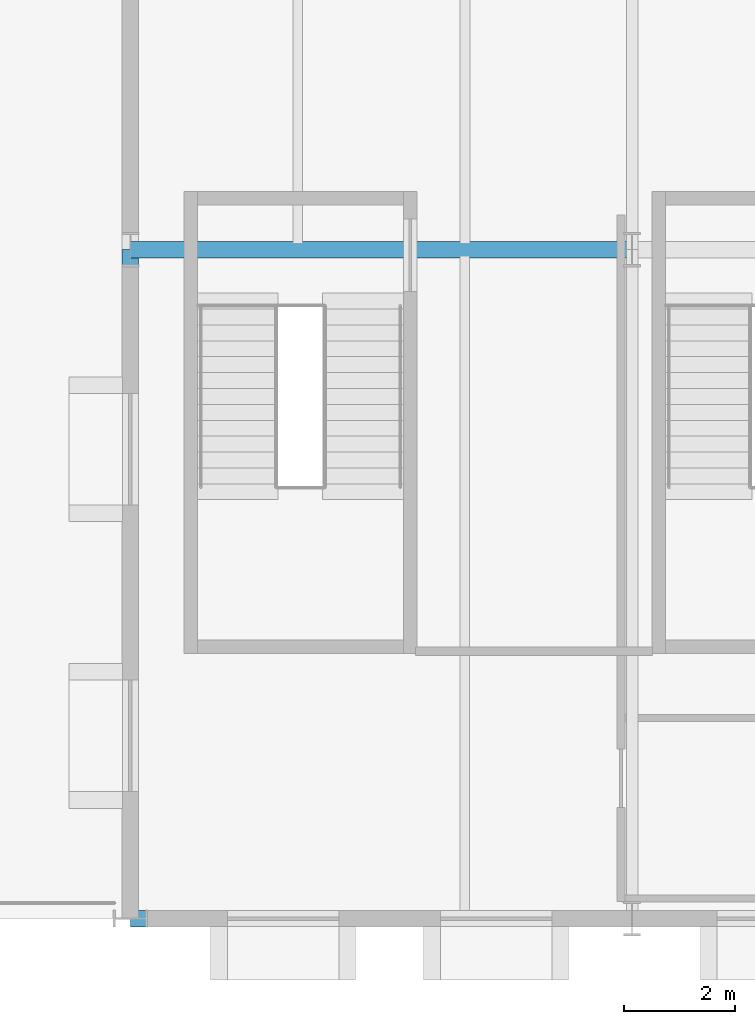
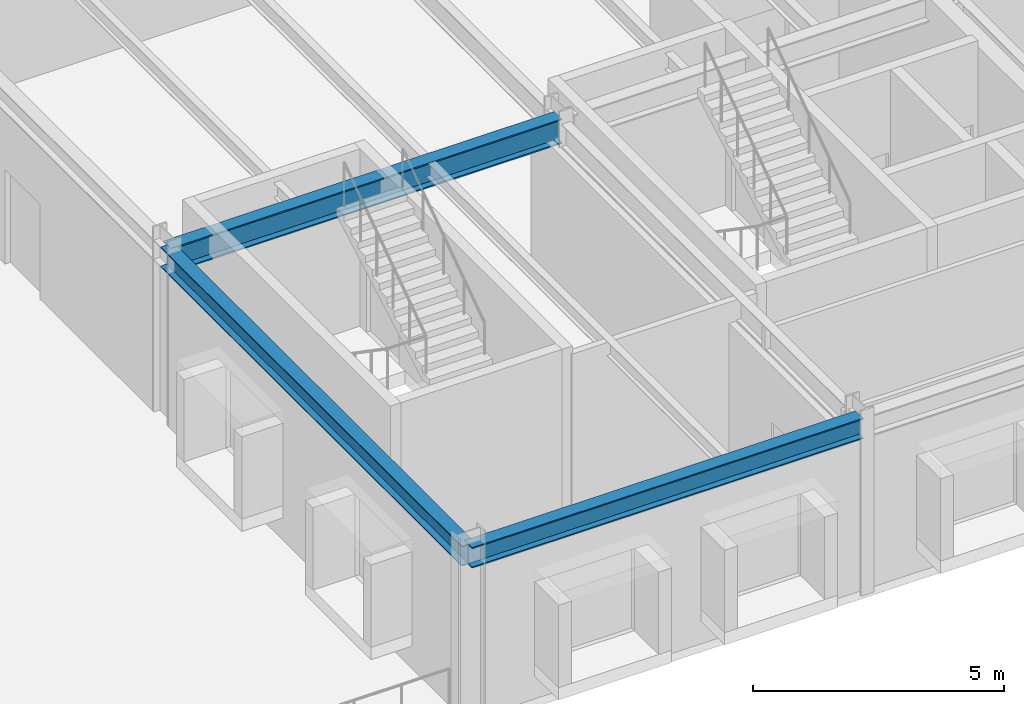
# One storey, part 10 of 142: 3 beams.
"""IFC4 building model written with IfcOpenShell, lengths in metres."""

from ifc_helpers import new_model, si_unit, direction, frame, origin, origin_2d, place, context, subcontext, project, spatial, i_section, extrude, material, material_profile, profile_set, type_object, element, save


model = new_model("IFC4")

# Units and contexts
model_context = context("Model", 3, precision=1e-05, world=origin(), true_north=direction((0.0, 1.0)))
body_context = subcontext(model_context, "Body", "Model", "MODEL_VIEW")
ifc_project = project(units=[si_unit("LENGTHUNIT", "METRE"), si_unit("AREAUNIT", "SQUARE_METRE"), si_unit("VOLUMEUNIT", "CUBIC_METRE"), si_unit("PLANEANGLEUNIT", "RADIAN"), si_unit("MASSUNIT", "GRAM", prefix="KILO")], contexts=[model_context])

# Site, building, storey
site_placement = place(None, origin())
site = spatial("IfcSite", under=ifc_project, at=site_placement, CompositionType="ELEMENT")
building_placement = place(site_placement, origin())
building = spatial("IfcBuilding", under=site, at=building_placement, Name="Montelvaro Courts of Justice", CompositionType="ELEMENT")
storey_placement = place(building_placement, frame((0.0, 0.0, 14.39990234375)))
storey = spatial("IfcBuildingStorey", under=building, at=storey_placement, Name="L03", CompositionType="ELEMENT", Elevation=14.39990234375)

# Beams
ifc_material = material(Name="Steel S355", Category="steel")
ifc_material_profile_1 = material_profile(ifc_material, i_section(OverallWidth=0.300048828125, OverallDepth=0.489990234375, WebThickness=0.011962890625, FlangeThickness=0.02294921875, at=origin_2d()), Name="HEA 500")
ifc_profile_set_1 = profile_set([ifc_material_profile_1], Name="Steel S355")
beam_type_1 = type_object("IfcBeamType", Name="Beam_HEA500", PredefinedType="USERDEFINED", material=ifc_profile_set_1)
beam_1_placement = place(storey_placement, frame((45.0, 0.0, 3.93505859375), z_axis=(0.0, 1.0, 0.0), x_axis=(-1.0, 0.0, 0.0)))
element("IfcBeam", 1, at=beam_1_placement, inside=storey, type_object=beam_type_1, Name="Beam B-19 L03", ObjectType="GIRDER", PredefinedType="USERDEFINED", context=body_context, shape_type="SweptSolid", body=[
    extrude(i_section(OverallWidth=0.300048828125, OverallDepth=0.489990234375, WebThickness=0.011962890625, FlangeThickness=0.02294921875, at=origin_2d()), origin(), (0.0, 0.0, 1.0), 12.0),
])
ifc_material_profile_2 = material_profile(ifc_material, i_section(OverallWidth=0.300048828125, OverallDepth=0.5, WebThickness=0.014404296875, FlangeThickness=0.028076171875, at=origin_2d()), Name="HEB 500")
ifc_profile_set_2 = profile_set([ifc_material_profile_2], Name="Steel S355")
beam_type_2 = type_object("IfcBeamType", Name="Beam_HEB500", PredefinedType="USERDEFINED", material=ifc_profile_set_2)
beam_2_placement = place(storey_placement, frame((45.0, 0.0, 3.93017578125), z_axis=(1.0, 0.0, 0.0), x_axis=(0.0, 1.0, 0.0)))
element("IfcBeam", 2, at=beam_2_placement, inside=storey, type_object=beam_type_2, Name="Beam B-25 L03", ObjectType="GIRDER", PredefinedType="USERDEFINED", context=body_context, shape_type="SweptSolid", body=[
    extrude(i_section(OverallWidth=0.300048828125, OverallDepth=0.5, WebThickness=0.014404296875, FlangeThickness=0.028076171875, at=origin_2d()), origin(), (0.0, 0.0, 1.0), 9.0),
])
ifc_material_profile_3 = material_profile(ifc_material, i_section(OverallWidth=0.300048828125, OverallDepth=0.60009765625, WebThickness=0.015380859375, FlangeThickness=0.030029296875, at=origin_2d()), Name="HEB 600")
ifc_profile_set_3 = profile_set([ifc_material_profile_3], Name="Steel S355")
beam_type_3 = type_object("IfcBeamType", Name="Beam_HEB600", PredefinedType="USERDEFINED", material=ifc_profile_set_3)
beam_3_placement = place(storey_placement, frame((45.0, 12.0, 3.880126953125), z_axis=(1.0, 0.0, 0.0), x_axis=(0.0, 1.0, 0.0)))
element("IfcBeam", 3, at=beam_3_placement, inside=storey, type_object=beam_type_3, Name="Beam B-26 L03", ObjectType="GIRDER", PredefinedType="USERDEFINED", context=body_context, shape_type="SweptSolid", body=[
    extrude(i_section(OverallWidth=0.300048828125, OverallDepth=0.60009765625, WebThickness=0.015380859375, FlangeThickness=0.030029296875, at=origin_2d()), origin(), (0.0, 0.0, 1.0), 9.0),
])

save(model, "model.ifc")
